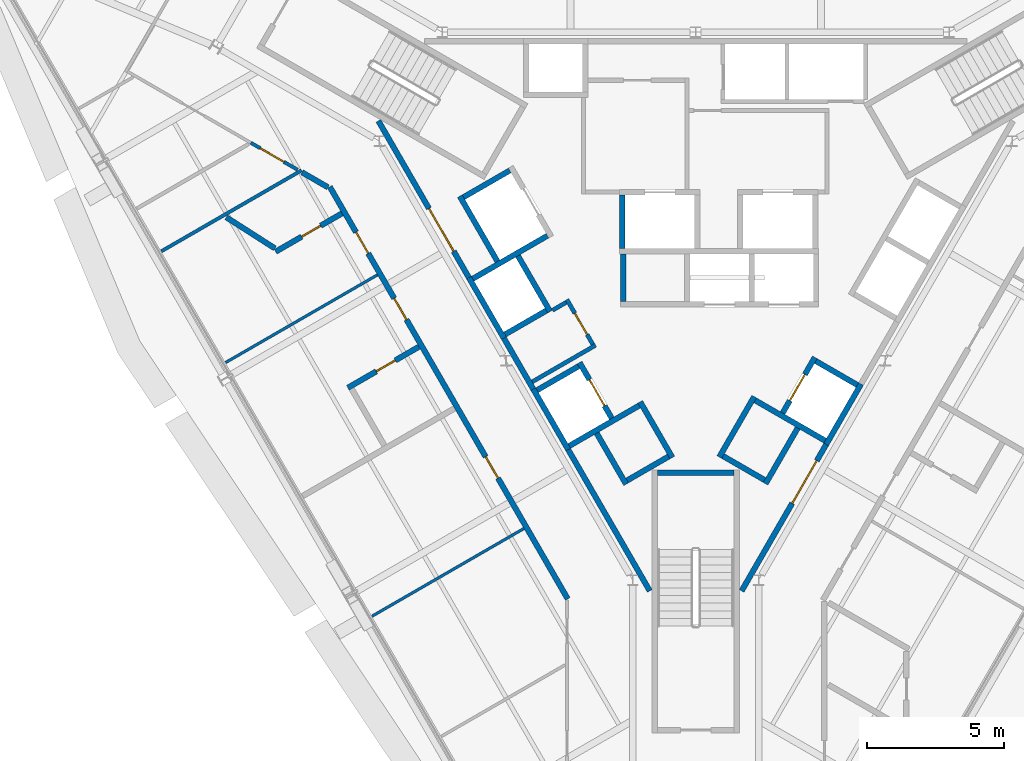
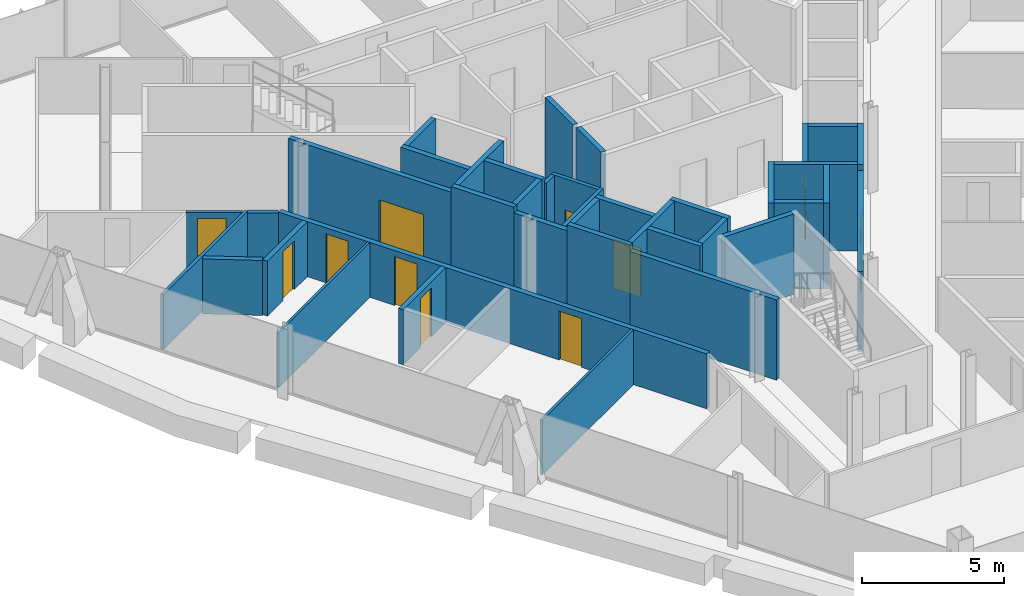
# One storey, part 10 of 15: 39 walls, 11 doors, 11 openings.
"""IFC4 building model written with IfcOpenShell, lengths in metres."""

from ifc_helpers import new_model, si_unit, direction, frame, frame_2d, origin, place, context, subcontext, project, spatial, rectangle, extrude, material, layer, layer_set, type_object, element, fill, save


model = new_model("IFC4")

# Units and contexts
model_context = context("Model", 3, precision=1e-05, world=origin(), true_north=direction((0.0, 1.0)))
body_context = subcontext(model_context, "Body", "Model", "MODEL_VIEW")
ifc_project = project(units=[si_unit("LENGTHUNIT", "METRE"), si_unit("AREAUNIT", "SQUARE_METRE"), si_unit("VOLUMEUNIT", "CUBIC_METRE"), si_unit("PLANEANGLEUNIT", "RADIAN"), si_unit("MASSUNIT", "GRAM", prefix="KILO")], contexts=[model_context])

# Site, building, storey
site_placement = place(None, origin())
site = spatial("IfcSite", under=ifc_project, at=site_placement, CompositionType="ELEMENT")
building_placement = place(site_placement, origin())
building = spatial("IfcBuilding", under=site, at=building_placement, Name="Verrane Prism Tower", CompositionType="ELEMENT")
storey_placement = place(building_placement, frame((0.0, 0.0, 254.5)))
storey = spatial("IfcBuildingStorey", under=building, at=storey_placement, Name="L64", CompositionType="ELEMENT", Elevation=254.5)

# Wall, opening, door
ifc_material_1 = material(Name="Gypsum board partition", Category="other")
ifc_layer_1 = layer(ifc_material_1, 0.199951171875)
ifc_layer_set_1 = layer_set([ifc_layer_1], Name="CW-200 core boundary wall 2 h")
wall_type_1 = type_object("IfcWallType", Name="CW-200 core boundary wall 2 h", PredefinedType="PARTITIONING", material=ifc_layer_set_1)
wall_1_placement = place(storey_placement, frame((-11.590576171875, 4.7548828125, 0.0), z_axis=(0.0, 0.0, 1.0), x_axis=(0.500043977787, -0.866000011708, 0.0)))
wall_1 = element("IfcWall", 1, at=wall_1_placement, inside=storey, type_object=wall_type_1, Name="Core boundary wall CW3-009", PredefinedType="PARTITIONING", context=body_context, shape_type="SweptSolid", body=[
    extrude(rectangle(XDim=6.61669921875, YDim=0.199951171875, at=frame_2d((3.308349609375, 0.0))), origin(), (0.0, 0.0, 1.0), 3.449951171875),
])
opening_1_placement = place(wall_1_placement, frame((3.695068359375, 0.0, 0.0)))
opening_1 = element("IfcOpeningElement", 2, at=opening_1_placement, cuts=wall_1, Name="Opening D62517", PredefinedType="OPENING", context=body_context, shape_type="SweptSolid", body=[
    extrude(rectangle(XDim=1.800048828125, YDim=2.10009765625, at=frame_2d((0.89990234375, 1.050048828125))), frame((0.0, 0.10986328125, 0.0), z_axis=(0.0, -1.0, 0.0), x_axis=(1.0, 0.0, 0.0)), (0.0, 0.0, 1.0), 0.219970703125),
])
ifc_material_2 = material(Name="Timber veneered door leaf", Category="wood")
door_type_1 = type_object("IfcDoorType", Name="DR-1800x2100 FD60 double leaf lift lobby", OperationType="NOTDEFINED", PredefinedType="DOOR", material=ifc_material_2)
door_1_placement = place(opening_1_placement, origin())
door_1 = element("IfcDoor", 3, at=door_1_placement, inside=storey, type_object=door_type_1, Name="Lift lobby door D62517", OperationType="DOUBLE_DOOR_SINGLE_SWING", OverallHeight=2.10009765625, OverallWidth=1.800048828125, PredefinedType="DOOR", context=body_context, shape_type="SweptSolid", body=[
    extrude(rectangle(XDim=1.800048828125, YDim=2.10009765625, at=frame_2d((0.89990234375, 1.050048828125))), frame((0.0, 0.02490234375, 0.0), z_axis=(0.0, -1.0, 0.0), x_axis=(1.0, 0.0, 0.0)), (0.0, 0.0, 1.0), 0.050048828125),
])
fill(opening_1, door_1)

# Walls
wall_2_placement = place(storey_placement, frame((-7.0048828125, -3.18701171875, 0.0), z_axis=(0.0, 0.0, 1.0), x_axis=(0.499689606989, -0.866204535123, 0.0)))
element("IfcWall", 4, at=wall_2_placement, inside=storey, type_object=wall_type_1, Name="Core boundary wall CW3-011", PredefinedType="PARTITIONING", context=body_context, shape_type="SweptSolid", body=[
    extrude(rectangle(XDim=2.144775390625, YDim=0.199951171875, at=frame_2d((1.072265625, 0.0))), origin(), (0.0, 0.0, 1.0), 3.449951171875),
])
wall_3_placement = place(storey_placement, frame((-4.655029296875, -7.257080078125, 0.0), z_axis=(0.0, 0.0, 1.0), x_axis=(0.499966124405, -0.866044960985, 0.0)))
element("IfcWall", 5, at=wall_3_placement, inside=storey, type_object=wall_type_1, Name="Core boundary wall CW3-012", PredefinedType="PARTITIONING", context=body_context, shape_type="SweptSolid", body=[
    extrude(rectangle(XDim=5.95556640625, YDim=0.199951171875, at=frame_2d((2.977783203125, 0.0))), origin(), (0.0, 0.0, 1.0), 3.449951171875),
])

# Wall, opening, door
wall_4_placement = place(storey_placement, frame((1.677490234375, -12.414794921875, 0.0), z_axis=(0.0, 0.0, 1.0), x_axis=(0.500054337157, 0.865994029939, 0.0)))
wall_4 = element("IfcWall", 6, at=wall_4_placement, inside=storey, type_object=wall_type_1, Name="Core boundary wall CW3-014", PredefinedType="PARTITIONING", context=body_context, shape_type="SweptSolid", body=[
    extrude(rectangle(XDim=6.176513671875, YDim=0.199951171875, at=frame_2d((3.08837890625, 0.0))), origin(), (0.0, 0.0, 1.0), 3.449951171875),
])
opening_2_placement = place(wall_4_placement, frame((3.695068359375, 0.0, 0.0)))
opening_2 = element("IfcOpeningElement", 7, at=opening_2_placement, cuts=wall_4, Name="Opening D62523", PredefinedType="OPENING", context=body_context, shape_type="SweptSolid", body=[
    extrude(rectangle(XDim=1.800048828125, YDim=2.10009765625, at=frame_2d((0.89990234375, 1.050048828125))), frame((0.0, 0.10986328125, 0.0), z_axis=(0.0, -1.0, 0.0), x_axis=(1.0, 0.0, 0.0)), (0.0, 0.0, 1.0), 0.219970703125),
])
door_2_placement = place(opening_2_placement, origin())
door_2 = element("IfcDoor", 8, at=door_2_placement, inside=storey, type_object=door_type_1, Name="Lift lobby door D62523", OperationType="DOUBLE_DOOR_SINGLE_SWING", OverallHeight=2.10009765625, OverallWidth=1.800048828125, PredefinedType="DOOR", context=body_context, shape_type="SweptSolid", body=[
    extrude(rectangle(XDim=1.800048828125, YDim=2.10009765625, at=frame_2d((0.89990234375, 1.050048828125))), frame((0.0, 0.02490234375, 0.0), z_axis=(0.0, -1.0, 0.0), x_axis=(1.0, 0.0, 0.0)), (0.0, 0.0, 1.0), 0.050048828125),
])
fill(opening_2, door_2)

# Walls
ifc_material_3 = material(Name="Concrete C40/50", Category="concrete")
ifc_layer_2 = layer(ifc_material_3, 0.199951171875)
ifc_layer_set_2 = layer_set([ifc_layer_2], Name="CW-200 stair core wall concrete C40/50 3 h")
wall_type_2 = type_object("IfcWallType", Name="CW-200 stair core wall concrete C40/50 3 h", PredefinedType="PARTITIONING", material=ifc_layer_set_2)
wall_5_placement = place(storey_placement, frame((-1.39990234375, -8.10009765625, 0.0), z_axis=(0.0, 0.0, 1.0), x_axis=(1.0, 0.0, 0.0)))
element("IfcWall", 9, at=wall_5_placement, inside=storey, type_object=wall_type_2, Name="Stair 3 enclosure wall", PredefinedType="PARTITIONING", context=body_context, shape_type="SweptSolid", body=[
    extrude(rectangle(XDim=2.7998046875, YDim=0.199951171875, at=frame_2d((1.39990234375, 0.0))), origin(), (0.0, 0.0, 1.0), 3.449951171875),
])
ifc_material_4 = material(Name="Gypsum board shaft wall assembly", Category="other")
ifc_layer_3 = layer(ifc_material_4, 0.199951171875)
ifc_layer_set_3 = layer_set([ifc_layer_3], Name="HW-200 lift shaft wall 2 h")
wall_type_3 = type_object("IfcWallType", Name="HW-200 lift shaft wall 2 h", PredefinedType="PARTITIONING", material=ifc_layer_set_3)
wall_6_placement = place(storey_placement, frame((-2.50537109375, -8.38037109375, 0.0), z_axis=(0.0, 0.0, 1.0), x_axis=(0.866002029911, 0.500040482552, 0.0)))
element("IfcWall", 10, at=wall_6_placement, inside=storey, type_object=wall_type_3, Name="Lift shaft wall", PredefinedType="PARTITIONING", context=body_context, shape_type="SweptSolid", body=[
    extrude(rectangle(XDim=1.749755859375, YDim=0.199951171875, at=frame_2d((0.875, 0.0))), origin(), (0.0, 0.0, 1.0), 3.699951171875),
])
wall_7_placement = place(storey_placement, frame((-4.61962890625, -7.118408203125, 0.0), z_axis=(0.0, 0.0, 1.0), x_axis=(0.866039495442, 0.49997559174, 0.0)))
element("IfcWall", 11, at=wall_7_placement, inside=storey, type_object=wall_type_3, Name="Lift shaft wall", PredefinedType="PARTITIONING", context=body_context, shape_type="SweptSolid", body=[
    extrude(rectangle(XDim=2.949951171875, YDim=0.199951171875, at=frame_2d((1.47509765625, 0.0))), origin(), (0.0, 0.0, 1.0), 3.699951171875),
])
for number, where, z_axis, x_axis, name in (
    (12, (-5.794677734375, -5.083251953125, 0.0), (0.0, 0.0, 1.0), (0.866036909293, 0.499980071345, 0.0), "Lift shaft wall"),
    (13, (-6.9697265625, -3.048095703125, 0.0), (0.0, 0.0, 1.0), (0.866036909293, 0.499980071345, 0.0), "Lift shaft wall"),
):
    element("IfcWall", number, at=place(storey_placement, frame(where, z_axis=z_axis, x_axis=x_axis)), inside=storey, type_object=wall_type_3, Name=name, PredefinedType="PARTITIONING", context=body_context, shape_type="SweptSolid", body=[
        extrude(rectangle(XDim=1.75, YDim=0.199951171875, at=frame_2d((0.875, 0.0))), origin(), (0.0, 0.0, 1.0), 3.699951171875),
    ])
wall_8_placement = place(storey_placement, frame((-8.14453125, -1.012939453125, 0.0), z_axis=(0.0, 0.0, 1.0), x_axis=(0.866016494683, 0.500015430699, 0.0)))
element("IfcWall", 14, at=wall_8_placement, inside=storey, type_object=wall_type_3, Name="Lift shaft wall", PredefinedType="PARTITIONING", context=body_context, shape_type="SweptSolid", body=[
    extrude(rectangle(XDim=3.14990234375, YDim=0.199951171875, at=frame_2d((1.574951171875, 0.0))), origin(), (0.0, 0.0, 1.0), 3.699951171875),
])
wall_9_placement = place(storey_placement, frame((-8.48046875, 1.968505859375, 0.0), z_axis=(0.0, 0.0, 1.0), x_axis=(0.866000020948, 0.500043961785, 0.0)))
element("IfcWall", 15, at=wall_9_placement, inside=storey, type_object=wall_type_3, Name="Lift shaft wall", PredefinedType="PARTITIONING", context=body_context, shape_type="SweptSolid", body=[
    extrude(rectangle(XDim=1.949951171875, YDim=0.199951171875, at=frame_2d((0.97509765625, 0.0))), origin(), (0.0, 0.0, 1.0), 3.699951171875),
])
wall_10_placement = place(storey_placement, frame((4.766357421875, -7.064697265625, 0.0), z_axis=(0.0, 0.0, 1.0), x_axis=(0.499948979701, 0.866054858364, 0.0)))
element("IfcWall", 16, at=wall_10_placement, inside=storey, type_object=wall_type_3, Name="Lift shaft wall", PredefinedType="PARTITIONING", context=body_context, shape_type="SweptSolid", body=[
    extrude(rectangle(XDim=2.550048828125, YDim=0.199951171875, at=frame_2d((1.27490234375, 0.0))), origin(), (0.0, 0.0, 1.0), 3.699951171875),
])
wall_11_placement = place(storey_placement, frame((2.552001953125, -8.499755859375, 0.0), z_axis=(0.0, 0.0, 1.0), x_axis=(0.500016218704, 0.866016039709, 0.0)))
element("IfcWall", 17, at=wall_11_placement, inside=storey, type_object=wall_type_3, Name="Lift shaft wall", PredefinedType="PARTITIONING", context=body_context, shape_type="SweptSolid", body=[
    extrude(rectangle(XDim=2.35009765625, YDim=0.199951171875, at=frame_2d((1.175048828125, 0.0))), origin(), (0.0, 0.0, 1.0), 3.699951171875),
])

# Wall, opening, door
wall_12_placement = place(storey_placement, frame((3.177490234375, -5.91650390625, 0.0), z_axis=(0.0, 0.0, 1.0), x_axis=(0.500016218704, 0.866016039709, 0.0)))
wall_12 = element("IfcWall", 18, at=wall_12_placement, inside=storey, type_object=wall_type_3, Name="Lift shaft wall", PredefinedType="PARTITIONING", context=body_context, shape_type="SweptSolid", body=[
    extrude(rectangle(XDim=2.35009765625, YDim=0.199951171875, at=frame_2d((1.175048828125, 0.0))), origin(), (0.0, 0.0, 1.0), 3.699951171875),
])
opening_3_placement = place(wall_12_placement, frame((0.52490234375, 0.0, 0.0)))
opening_3 = element("IfcOpeningElement", 19, at=opening_3_placement, cuts=wall_12, Name="Opening D62505", PredefinedType="OPENING", context=body_context, shape_type="SweptSolid", body=[
    extrude(rectangle(XDim=1.10009765625, YDim=2.10009765625, at=frame_2d((0.550048828125, 1.050048828125))), frame((0.0, 0.10986328125, 0.0), z_axis=(0.0, -1.0, 0.0), x_axis=(1.0, 0.0, 0.0)), (0.0, 0.0, 1.0), 0.219970703125),
])
ifc_material_5 = material(Name="Stainless steel sliding landing door", Category="steel")
door_type_2 = type_object("IfcDoorType", Name="LD-1100x2100 lift landing door FD90 sliding", OperationType="NOTDEFINED", PredefinedType="DOOR", material=ifc_material_5)
door_3_placement = place(opening_3_placement, origin())
door_3 = element("IfcDoor", 20, at=door_3_placement, inside=storey, type_object=door_type_2, Name="Bank B lift 3 landing door", OperationType="SLIDING_TO_LEFT", OverallHeight=2.10009765625, OverallWidth=1.10009765625, PredefinedType="DOOR", context=body_context, shape_type="SweptSolid", body=[
    extrude(rectangle(XDim=1.10009765625, YDim=2.10009765625, at=frame_2d((0.550048828125, 1.050048828125))), frame((0.0, 0.02490234375, 0.0), z_axis=(0.0, -1.0, 0.0), x_axis=(1.0, 0.0, 0.0)), (0.0, 0.0, 1.0), 0.050048828125),
])
fill(opening_3, door_3)

# Walls
wall_13_placement = place(storey_placement, frame((0.86328125, -7.524658203125, 0.0), z_axis=(0.0, 0.0, 1.0), x_axis=(0.499990435942, 0.866030925526, 0.0)))
element("IfcWall", 21, at=wall_13_placement, inside=storey, type_object=wall_type_3, Name="Lift shaft wall", PredefinedType="PARTITIONING", context=body_context, shape_type="SweptSolid", body=[
    extrude(rectangle(XDim=2.5498046875, YDim=0.199951171875, at=frame_2d((1.27490234375, 0.0))), origin(), (0.0, 0.0, 1.0), 3.699951171875),
])
wall_14_placement = place(storey_placement, frame((-2.655029296875, -1.85009765625, 0.0), z_axis=(0.0, 0.0, 1.0), x_axis=(0.0, 1.0, 0.0)))
element("IfcWall", 22, at=wall_14_placement, inside=storey, type_object=wall_type_3, Name="Lift shaft wall", PredefinedType="PARTITIONING", context=body_context, shape_type="SweptSolid", body=[
    extrude(rectangle(XDim=1.75, YDim=0.199951171875, at=frame_2d((0.875, 0.0))), origin(), (0.0, 0.0, 1.0), 3.699951171875),
])
wall_15_placement = place(storey_placement, frame((-2.68505859375, 0.10009765625, 0.0), z_axis=(0.0, 0.0, 1.0), x_axis=(0.0, 1.0, 0.0)))
element("IfcWall", 23, at=wall_15_placement, inside=storey, type_object=wall_type_3, Name="Lift shaft wall", PredefinedType="PARTITIONING", context=body_context, shape_type="SweptSolid", body=[
    extrude(rectangle(XDim=1.949951171875, YDim=0.199951171875, at=frame_2d((0.97509765625, 0.0))), origin(), (0.0, 0.0, 1.0), 3.699951171875),
])
wall_16_placement = place(storey_placement, frame((-0.853271484375, -7.5419921875, 0.0), z_axis=(0.0, 0.0, 1.0), x_axis=(-0.500016218704, 0.866016039709, 0.0)))
element("IfcWall", 24, at=wall_16_placement, inside=storey, type_object=wall_type_3, Name="Lift shaft wall", PredefinedType="PARTITIONING", context=body_context, shape_type="SweptSolid", body=[
    extrude(rectangle(XDim=2.35009765625, YDim=0.199951171875, at=frame_2d((1.175048828125, 0.0))), origin(), (0.0, 0.0, 1.0), 3.699951171875),
])

# Wall, opening, door
wall_17_placement = place(storey_placement, frame((-3.067626953125, -6.10693359375, 0.0), z_axis=(0.0, 0.0, 1.0), x_axis=(-0.499938297808, 0.866061024631, 0.0)))
wall_17 = element("IfcWall", 25, at=wall_17_placement, inside=storey, type_object=wall_type_3, Name="Lift shaft wall", PredefinedType="PARTITIONING", context=body_context, shape_type="SweptSolid", body=[
    extrude(rectangle(XDim=2.349853515625, YDim=0.199951171875, at=frame_2d((1.1748046875, 0.0))), origin(), (0.0, 0.0, 1.0), 3.699951171875),
])
opening_4_placement = place(wall_17_placement, frame((0.52490234375, 0.0, 0.0)))
opening_4 = element("IfcOpeningElement", 26, at=opening_4_placement, cuts=wall_17, Name="Opening D62506", PredefinedType="OPENING", context=body_context, shape_type="SweptSolid", body=[
    extrude(rectangle(XDim=1.10009765625, YDim=2.10009765625, at=frame_2d((0.550048828125, 1.050048828125))), frame((0.0, 0.10986328125, 0.0), z_axis=(0.0, -1.0, 0.0), x_axis=(1.0, 0.0, 0.0)), (0.0, 0.0, 1.0), 0.219970703125),
])
door_4_placement = place(opening_4_placement, origin())
door_4 = element("IfcDoor", 27, at=door_4_placement, inside=storey, type_object=door_type_2, Name="Bank B lift 4 landing door", OperationType="SLIDING_TO_RIGHT", OverallHeight=2.10009765625, OverallWidth=1.10009765625, PredefinedType="DOOR", context=body_context, shape_type="SweptSolid", body=[
    extrude(rectangle(XDim=1.10009765625, YDim=2.10009765625, at=frame_2d((0.550048828125, 1.050048828125))), frame((0.0, 0.02490234375, 0.0), z_axis=(0.0, -1.0, 0.0), x_axis=(1.0, 0.0, 0.0)), (0.0, 0.0, 1.0), 0.050048828125),
])
fill(opening_4, door_4)

# Walls
wall_18_placement = place(storey_placement, frame((-5.317626953125, -2.209716796875, 0.0), z_axis=(0.0, 0.0, 1.0), x_axis=(-0.499938297808, 0.866061024631, 0.0)))
element("IfcWall", 28, at=wall_18_placement, inside=storey, type_object=wall_type_3, Name="Lift shaft wall", PredefinedType="PARTITIONING", context=body_context, shape_type="SweptSolid", body=[
    extrude(rectangle(XDim=2.349853515625, YDim=0.199951171875, at=frame_2d((1.1748046875, 0.0))), origin(), (0.0, 0.0, 1.0), 3.699951171875),
])
wall_19_placement = place(storey_placement, frame((-2.5419921875, -8.51708984375, 0.0), z_axis=(0.0, 0.0, 1.0), x_axis=(-0.499961633463, 0.866047553582, 0.0)))
element("IfcWall", 29, at=wall_19_placement, inside=storey, type_object=wall_type_3, Name="Lift shaft wall", PredefinedType="PARTITIONING", context=body_context, shape_type="SweptSolid", body=[
    extrude(rectangle(XDim=2.150146484375, YDim=0.199951171875, at=frame_2d((1.0751953125, 0.0))), origin(), (0.0, 0.0, 1.0), 3.699951171875),
])
wall_20_placement = place(storey_placement, frame((-7.241943359375, -0.37646484375, 0.0), z_axis=(0.0, 0.0, 1.0), x_axis=(-0.499996545922, 0.866027397988, 0.0)))
element("IfcWall", 30, at=wall_20_placement, inside=storey, type_object=wall_type_3, Name="Lift shaft wall", PredefinedType="PARTITIONING", context=body_context, shape_type="SweptSolid", body=[
    extrude(rectangle(XDim=2.75, YDim=0.199951171875, at=frame_2d((1.375, 0.0))), origin(), (0.0, 0.0, 1.0), 3.699951171875),
])
for number, where, z_axis, x_axis, name in (
    (31, (-4.65625, -7.255126953125, 0.0), (0.0, 0.0, 1.0), (-0.499990435942, 0.866030925526, 0.0), "Lift shaft wall"),
    (32, (-7.00634765625, -3.184814453125, 0.0), (0.0, 0.0, 1.0), (-0.499990435942, 0.866030925526, 0.0), "Lift shaft wall"),
):
    element("IfcWall", number, at=place(storey_placement, frame(where, z_axis=z_axis, x_axis=x_axis)), inside=storey, type_object=wall_type_3, Name=name, PredefinedType="PARTITIONING", context=body_context, shape_type="SweptSolid", body=[
        extrude(rectangle(XDim=2.5498046875, YDim=0.199951171875, at=frame_2d((1.27490234375, 0.0))), origin(), (0.0, 0.0, 1.0), 3.699951171875),
    ])
wall_21_placement = place(storey_placement, frame((5.904541015625, -4.892822265625, 0.0), z_axis=(0.0, 0.0, 1.0), x_axis=(-0.866002029911, 0.500040482552, 0.0)))
element("IfcWall", 33, at=wall_21_placement, inside=storey, type_object=wall_type_3, Name="Lift shaft wall", PredefinedType="PARTITIONING", context=body_context, shape_type="SweptSolid", body=[
    extrude(rectangle(XDim=1.749755859375, YDim=0.199951171875, at=frame_2d((0.875, 0.0))), origin(), (0.0, 0.0, 1.0), 3.699951171875),
])
wall_22_placement = place(storey_placement, frame((4.729736328125, -6.927978515625, 0.0), z_axis=(0.0, 0.0, 1.0), x_axis=(-0.866024349092, 0.500001826776, 0.0)))
element("IfcWall", 34, at=wall_22_placement, inside=storey, type_object=wall_type_3, Name="Lift shaft wall", PredefinedType="PARTITIONING", context=body_context, shape_type="SweptSolid", body=[
    extrude(rectangle(XDim=2.9501953125, YDim=0.199951171875, at=frame_2d((1.47509765625, 0.0))), origin(), (0.0, 0.0, 1.0), 3.699951171875),
])
wall_23_placement = place(storey_placement, frame((2.515380859375, -8.36328125, 0.0), z_axis=(0.0, 0.0, 1.0), x_axis=(-0.866036909293, 0.499980071345, 0.0)))
element("IfcWall", 35, at=wall_23_placement, inside=storey, type_object=wall_type_3, Name="Lift shaft wall", PredefinedType="PARTITIONING", context=body_context, shape_type="SweptSolid", body=[
    extrude(rectangle(XDim=1.75, YDim=0.199951171875, at=frame_2d((0.875, 0.0))), origin(), (0.0, 0.0, 1.0), 3.699951171875),
])
ifc_material_6 = material(Name="Gypsum board partition", Category="other")
ifc_layer_4 = layer(ifc_material_6, 0.10009765625)
ifc_layer_set_4 = layer_set([ifc_layer_4], Name="PW-100 room partition")
wall_type_4 = type_object("IfcWallType", Name="PW-100 room partition", PredefinedType="PARTITIONING", material=ifc_layer_set_4)
wall_24_placement = place(storey_placement, frame((-17.1708984375, -4.071044921875, 0.0), z_axis=(0.0, 0.0, 1.0), x_axis=(0.865973383125, 0.500090091603, 0.0)))
element("IfcWall", 36, at=wall_24_placement, inside=storey, type_object=wall_type_4, Name="Room partition 007", PredefinedType="PARTITIONING", context=body_context, shape_type="SweptSolid", body=[
    extrude(rectangle(XDim=6.399658203125, YDim=0.10009765625, at=frame_2d((3.19970703125, 0.0))), origin(), (0.0, 0.0, 1.0), 2.362060546875),
])
wall_25_placement = place(storey_placement, frame((-11.82080078125, -13.337158203125, 0.0), z_axis=(0.0, 0.0, 1.0), x_axis=(0.866013405822, 0.500020780506, 0.0)))
element("IfcWall", 37, at=wall_25_placement, inside=storey, type_object=wall_type_4, Name="Room partition 016", PredefinedType="PARTITIONING", context=body_context, shape_type="SweptSolid", body=[
    extrude(rectangle(XDim=6.399169921875, YDim=0.10009765625, at=frame_2d((3.19970703125, 0.0))), origin(), (0.0, 0.0, 1.0), 2.362060546875),
])
ifc_material_7 = material(Name="Gypsum board partition", Category="other")
ifc_layer_5 = layer(ifc_material_7, 0.125)
ifc_layer_set_5 = layer_set([ifc_layer_5], Name="PW-125 corridor wall 1 h")
wall_type_5 = type_object("IfcWallType", Name="PW-125 corridor wall 1 h", PredefinedType="PARTITIONING", material=ifc_layer_set_5)
wall_26_placement = place(storey_placement, frame((-19.517822265625, -0.006103515625, 0.0), z_axis=(0.0, 0.0, 1.0), x_axis=(0.866072118736, 0.499919078599, 0.0)))
element("IfcWall", 38, at=wall_26_placement, inside=storey, type_object=wall_type_5, Name="Corridor wall 005", PredefinedType="PARTITIONING", context=body_context, shape_type="SweptSolid", body=[
    extrude(rectangle(XDim=5.91162109375, YDim=0.125, at=frame_2d((2.955810546875, 0.0))), origin(), (0.0, 0.0, 1.0), 2.362060546875),
])

# Wall, opening, door
wall_27_placement = place(storey_placement, frame((-16.2529296875, 3.95703125, 0.0), z_axis=(0.0, 0.0, 1.0), x_axis=(0.866173232673, -0.499743865396, 0.0)))
wall_27 = element("IfcWall", 39, at=wall_27_placement, inside=storey, type_object=wall_type_5, Name="Corridor wall 008", PredefinedType="PARTITIONING", context=body_context, shape_type="SweptSolid", body=[
    extrude(rectangle(XDim=1.97412109375, YDim=0.125, at=frame_2d((0.987060546875, 0.0))), origin(), (0.0, 0.0, 1.0), 2.362060546875),
])
opening_5_placement = place(wall_27_placement, frame((0.39990234375, 0.0, 0.0)))
opening_5 = element("IfcOpeningElement", 40, at=opening_5_placement, cuts=wall_27, Name="Opening D62027", PredefinedType="OPENING", context=body_context, shape_type="SweptSolid", body=[
    extrude(rectangle(XDim=1.0, YDim=2.10009765625, at=frame_2d((0.5, 1.050048828125))), frame((0.0, 0.072509765625, 0.0), z_axis=(0.0, -1.0, 0.0), x_axis=(1.0, 0.0, 0.0)), (0.0, 0.0, 1.0), 0.14501953125),
])
ifc_material_8 = material(Name="Timber veneered door leaf", Category="wood")
door_type_3 = type_object("IfcDoorType", Name="DR-1000x2100 FD20 single leaf unit", OperationType="NOTDEFINED", PredefinedType="DOOR", material=ifc_material_8)
door_5_placement = place(opening_5_placement, origin())
door_5 = element("IfcDoor", 41, at=door_5_placement, inside=storey, type_object=door_type_3, Name="Entrance Hall door", OperationType="SINGLE_SWING_LEFT", OverallHeight=2.10009765625, OverallWidth=1.0, PredefinedType="DOOR", context=body_context, shape_type="SweptSolid", body=[
    extrude(rectangle(XDim=1.0, YDim=2.10009765625, at=frame_2d((0.5, 1.050048828125))), frame((0.0, 0.02490234375, 0.0), z_axis=(0.0, -1.0, 0.0), x_axis=(1.0, 0.0, 0.0)), (0.0, 0.0, 1.0), 0.050048828125),
])
fill(opening_5, door_5)

# Wall
ifc_material_9 = material(Name="Gypsum board partition", Category="other")
ifc_layer_6 = layer(ifc_material_9, 0.199951171875)
ifc_layer_set_6 = layer_set([ifc_layer_6], Name="PW-200 plumbing wall")
wall_type_6 = type_object("IfcWallType", Name="PW-200 plumbing wall", PredefinedType="PARTITIONING", material=ifc_layer_set_6)
wall_28_placement = place(storey_placement, frame((-17.14892578125, 1.236083984375, 0.0), z_axis=(0.0, 0.0, 1.0), x_axis=(0.842376529327, -0.538889397593, 0.0)))
element("IfcWall", 42, at=wall_28_placement, inside=storey, type_object=wall_type_6, Name="Plumbing wall 006", PredefinedType="PARTITIONING", context=body_context, shape_type="SweptSolid", body=[
    extrude(rectangle(XDim=2.1083984375, YDim=0.199951171875, at=frame_2d((1.05419921875, 0.0))), origin(), (0.0, 0.0, 1.0), 2.362060546875),
])

# Wall, opening, door
wall_29_placement = place(storey_placement, frame((-15.345703125, -0.02294921875, 0.0), z_axis=(0.0, 0.0, 1.0), x_axis=(0.865969158485, 0.500097407065, 0.0)))
wall_29 = element("IfcWall", 43, at=wall_29_placement, inside=storey, type_object=wall_type_6, Name="Plumbing wall 010", PredefinedType="PARTITIONING", context=body_context, shape_type="SweptSolid", body=[
    extrude(rectangle(XDim=2.79931640625, YDim=0.199951171875, at=frame_2d((1.399658203125, 0.0))), origin(), (0.0, 0.0, 1.0), 2.362060546875),
])
opening_6_placement = place(wall_29_placement, frame((1.10009765625, 0.0, 0.0)))
opening_6 = element("IfcOpeningElement", 44, at=opening_6_placement, cuts=wall_29, Name="Opening D62020", PredefinedType="OPENING", context=body_context, shape_type="SweptSolid", body=[
    extrude(rectangle(XDim=0.800048828125, YDim=2.10009765625, at=frame_2d((0.39990234375, 1.050048828125))), frame((0.0, 0.10986328125, 0.0), z_axis=(0.0, -1.0, 0.0), x_axis=(1.0, 0.0, 0.0)), (0.0, 0.0, 1.0), 0.219970703125),
])
ifc_material_10 = material(Name="Timber veneered door leaf", Category="wood")
door_type_4 = type_object("IfcDoorType", Name="DR-800x2100 single leaf bath", OperationType="NOTDEFINED", PredefinedType="DOOR", material=ifc_material_10)
door_6_placement = place(opening_6_placement, origin())
door_6 = element("IfcDoor", 45, at=door_6_placement, inside=storey, type_object=door_type_4, Name="Bathroom door", OperationType="SINGLE_SWING_RIGHT", OverallHeight=2.10009765625, OverallWidth=0.800048828125, PredefinedType="DOOR", context=body_context, shape_type="SweptSolid", body=[
    extrude(rectangle(XDim=0.800048828125, YDim=2.10009765625, at=frame_2d((0.39990234375, 1.050048828125))), frame((0.0, 0.02490234375, 0.0), z_axis=(0.0, -1.0, 0.0), x_axis=(1.0, 0.0, 0.0)), (0.0, 0.0, 1.0), 0.050048828125),
])
fill(opening_6, door_6)

# Wall
wall_30_placement = place(storey_placement, frame((-14.380615234375, 2.876708984375, 0.0), z_axis=(0.0, 0.0, 1.0), x_axis=(0.866215333661, -0.499670887416, 0.0)))
element("IfcWall", 46, at=wall_30_placement, inside=storey, type_object=wall_type_6, Name="Plumbing wall 011", PredefinedType="PARTITIONING", context=body_context, shape_type="SweptSolid", body=[
    extrude(rectangle(XDim=1.093017578125, YDim=0.199951171875, at=frame_2d((0.54638671875, 0.0))), origin(), (0.0, 0.0, 1.0), 2.362060546875),
])

# Wall, openings, doors
wall_31_placement = place(storey_placement, frame((-4.675048828125, -12.706298828125, 0.0), z_axis=(0.0, 0.0, 1.0), x_axis=(-0.499972470324, 0.866041297467, 0.0)))
wall_31 = element("IfcWall", 47, at=wall_31_placement, inside=storey, type_object=wall_type_6, Name="Plumbing wall 013", PredefinedType="PARTITIONING", context=body_context, shape_type="SweptSolid", body=[
    extrude(rectangle(XDim=17.384765625, YDim=0.199951171875, at=frame_2d((8.6923828125, 0.0))), origin(), (0.0, 0.0, 1.0), 2.362060546875),
])
opening_7_placement = place(wall_31_placement, frame((14.56982421875, 0.0, 0.0)))
opening_7 = element("IfcOpeningElement", 48, at=opening_7_placement, cuts=wall_31, Name="Opening D62019", PredefinedType="OPENING", context=body_context, shape_type="SweptSolid", body=[
    extrude(rectangle(XDim=0.89990234375, YDim=2.10009765625, at=frame_2d((0.449951171875, 1.050048828125))), frame((0.0, 0.10986328125, 0.0), z_axis=(0.0, -1.0, 0.0), x_axis=(1.0, 0.0, 0.0)), (0.0, 0.0, 1.0), 0.219970703125),
])
opening_8_placement = place(wall_31_placement, frame((11.77685546875, 0.0, 0.0)))
opening_8 = element("IfcOpeningElement", 49, at=opening_8_placement, cuts=wall_31, Name="Opening D62021", PredefinedType="OPENING", context=body_context, shape_type="SweptSolid", body=[
    extrude(rectangle(XDim=0.89990234375, YDim=2.10009765625, at=frame_2d((0.449951171875, 1.050048828125))), frame((0.0, 0.10986328125, 0.0), z_axis=(0.0, -1.0, 0.0), x_axis=(1.0, 0.0, 0.0)), (0.0, 0.0, 1.0), 0.219970703125),
])
opening_9_placement = place(wall_31_placement, frame((5.0947265625, 0.0, 0.0)))
opening_9 = element("IfcOpeningElement", 50, at=opening_9_placement, cuts=wall_31, Name="Opening D62023", PredefinedType="OPENING", context=body_context, shape_type="SweptSolid", body=[
    extrude(rectangle(XDim=0.89990234375, YDim=2.10009765625, at=frame_2d((0.449951171875, 1.050048828125))), frame((0.0, 0.10986328125, 0.0), z_axis=(0.0, -1.0, 0.0), x_axis=(1.0, 0.0, 0.0)), (0.0, 0.0, 1.0), 0.219970703125),
])
ifc_material_11 = material(Name="Timber veneered door leaf", Category="wood")
door_type_5 = type_object("IfcDoorType", Name="DR-900x2100 single leaf inner", OperationType="NOTDEFINED", PredefinedType="DOOR", material=ifc_material_11)
door_7_placement = place(opening_7_placement, origin())
door_7 = element("IfcDoor", 51, at=door_7_placement, inside=storey, type_object=door_type_5, Name="Bedroom door", OperationType="SINGLE_SWING_RIGHT", OverallHeight=2.10009765625, OverallWidth=0.89990234375, PredefinedType="DOOR", context=body_context, shape_type="SweptSolid", body=[
    extrude(rectangle(XDim=0.89990234375, YDim=2.10009765625, at=frame_2d((0.449951171875, 1.050048828125))), frame((0.0, 0.02490234375, 0.0), z_axis=(0.0, -1.0, 0.0), x_axis=(1.0, 0.0, 0.0)), (0.0, 0.0, 1.0), 0.050048828125),
])
fill(opening_7, door_7)
door_8_placement = place(opening_8_placement, origin())
door_8 = element("IfcDoor", 52, at=door_8_placement, inside=storey, type_object=door_type_5, Name="Master Bedroom door", OperationType="SINGLE_SWING_RIGHT", OverallHeight=2.10009765625, OverallWidth=0.89990234375, PredefinedType="DOOR", context=body_context, shape_type="SweptSolid", body=[
    extrude(rectangle(XDim=0.89990234375, YDim=2.10009765625, at=frame_2d((0.449951171875, 1.050048828125))), frame((0.0, 0.02490234375, 0.0), z_axis=(0.0, -1.0, 0.0), x_axis=(1.0, 0.0, 0.0)), (0.0, 0.0, 1.0), 0.050048828125),
])
fill(opening_8, door_8)
ifc_material_12 = material(Name="Timber veneered door leaf", Category="wood")
door_type_6 = type_object("IfcDoorType", Name="DR-900x2100 single leaf unit", OperationType="NOTDEFINED", PredefinedType="DOOR", material=ifc_material_12)
door_9_placement = place(opening_9_placement, origin())
door_9 = element("IfcDoor", 53, at=door_9_placement, inside=storey, type_object=door_type_6, Name="Study door", OperationType="SINGLE_SWING_RIGHT", OverallHeight=2.10009765625, OverallWidth=0.89990234375, PredefinedType="DOOR", context=body_context, shape_type="SweptSolid", body=[
    extrude(rectangle(XDim=0.89990234375, YDim=2.10009765625, at=frame_2d((0.449951171875, 1.050048828125))), frame((0.0, 0.02490234375, 0.0), z_axis=(0.0, -1.0, 0.0), x_axis=(1.0, 0.0, 0.0)), (0.0, 0.0, 1.0), 0.050048828125),
])
fill(opening_9, door_9)

# Wall, opening, door
wall_32_placement = place(storey_placement, frame((-10.113037109375, -3.49658203125, 0.0), z_axis=(0.0, 0.0, 1.0), x_axis=(-0.866032178313, -0.499988265988, 0.0)))
wall_32 = element("IfcWall", 54, at=wall_32_placement, inside=storey, type_object=wall_type_6, Name="Plumbing wall 015", PredefinedType="PARTITIONING", context=body_context, shape_type="SweptSolid", body=[
    extrude(rectangle(XDim=2.99462890625, YDim=0.199951171875, at=frame_2d((1.497314453125, 0.0))), origin(), (0.0, 0.0, 1.0), 2.362060546875),
])
opening_10_placement = place(wall_32_placement, frame((0.994873046875, 0.0, 0.0)))
opening_10 = element("IfcOpeningElement", 55, at=opening_10_placement, cuts=wall_32, Name="Opening D62022", PredefinedType="OPENING", context=body_context, shape_type="SweptSolid", body=[
    extrude(rectangle(XDim=0.800048828125, YDim=2.10009765625, at=frame_2d((0.39990234375, 1.050048828125))), frame((0.0, 0.10986328125, 0.0), z_axis=(0.0, -1.0, 0.0), x_axis=(1.0, 0.0, 0.0)), (0.0, 0.0, 1.0), 0.219970703125),
])
door_10_placement = place(opening_10_placement, origin())
door_10 = element("IfcDoor", 56, at=door_10_placement, inside=storey, type_object=door_type_4, Name="Master Bathroom door", OperationType="SINGLE_SWING_LEFT", OverallHeight=2.10009765625, OverallWidth=0.800048828125, PredefinedType="DOOR", context=body_context, shape_type="SweptSolid", body=[
    extrude(rectangle(XDim=0.800048828125, YDim=2.10009765625, at=frame_2d((0.39990234375, 1.050048828125))), frame((0.0, 0.02490234375, 0.0), z_axis=(0.0, -1.0, 0.0), x_axis=(1.0, 0.0, 0.0)), (0.0, 0.0, 1.0), 0.050048828125),
])
fill(opening_10, door_10)

# Walls
ifc_material_13 = material(Name="Gypsum board partition", Category="other")
ifc_layer_7 = layer(ifc_material_13, 0.14990234375)
ifc_layer_set_7 = layer_set([ifc_layer_7], Name="RS-150 riser enclosure wall 1 h")
wall_type_7 = type_object("IfcWallType", Name="RS-150 riser enclosure wall 1 h", PredefinedType="PARTITIONING", material=ifc_layer_set_7)
wall_33_placement = place(storey_placement, frame((-5.972412109375, -4.776123046875, 0.0), z_axis=(0.0, 0.0, 1.0), x_axis=(0.8660731567, 0.4999172804, 0.0)))
element("IfcWall", 57, at=wall_33_placement, inside=storey, type_object=wall_type_7, Name="Riser wall RS3-007", PredefinedType="PARTITIONING", context=body_context, shape_type="SweptSolid", body=[
    extrude(rectangle(XDim=2.67578125, YDim=0.14990234375, at=frame_2d((1.337890625, 0.0))), origin(), (0.0, 0.0, 1.0), 3.449951171875),
])
wall_34_placement = place(storey_placement, frame((-5.22900390625, -2.160888671875, 0.0), z_axis=(0.0, 0.0, 1.0), x_axis=(0.866906303058, 0.498471124258, 0.0)))
element("IfcWall", 58, at=wall_34_placement, inside=storey, type_object=wall_type_7, Name="Riser wall RS3-008", PredefinedType="PARTITIONING", context=body_context, shape_type="SweptSolid", body=[
    extrude(rectangle(XDim=0.574462890625, YDim=0.14990234375, at=frame_2d((0.287109375, 0.0))), origin(), (0.0, 0.0, 1.0), 3.449951171875),
])

# Wall, opening, door
wall_35_placement = place(storey_placement, frame((-3.757568359375, -3.4111328125, 0.0), z_axis=(0.0, 0.0, 1.0), x_axis=(-0.499871346238, 0.866099669328, 0.0)))
wall_35 = element("IfcWall", 59, at=wall_35_placement, inside=storey, type_object=wall_type_7, Name="Riser wall RS3-009", PredefinedType="PARTITIONING", context=body_context, shape_type="SweptSolid", body=[
    extrude(rectangle(XDim=1.892578125, YDim=0.14990234375, at=frame_2d((0.9462890625, 0.0))), origin(), (0.0, 0.0, 1.0), 3.449951171875),
])
opening_11_placement = place(wall_35_placement, frame((0.41748046875, 0.0, 0.0)))
opening_11 = element("IfcOpeningElement", 60, at=opening_11_placement, cuts=wall_35, Name="Opening D62518", PredefinedType="OPENING", context=body_context, shape_type="SweptSolid", body=[
    extrude(rectangle(XDim=0.89990234375, YDim=2.10009765625, at=frame_2d((0.449951171875, 1.050048828125))), frame((0.0, 0.0849609375, 0.0), z_axis=(0.0, -1.0, 0.0), x_axis=(1.0, 0.0, 0.0)), (0.0, 0.0, 1.0), 0.169921875),
])
ifc_material_14 = material(Name="Timber veneered door leaf", Category="wood")
door_type_7 = type_object("IfcDoorType", Name="DR-900x2100 FD20 single leaf store", OperationType="NOTDEFINED", PredefinedType="DOOR", material=ifc_material_14)
door_11_placement = place(opening_11_placement, origin())
door_11 = element("IfcDoor", 61, at=door_11_placement, inside=storey, type_object=door_type_7, Name="Room door D62518", OperationType="SINGLE_SWING_RIGHT", OverallHeight=2.10009765625, OverallWidth=0.89990234375, PredefinedType="DOOR", context=body_context, shape_type="SweptSolid", body=[
    extrude(rectangle(XDim=0.89990234375, YDim=2.10009765625, at=frame_2d((0.449951171875, 1.050048828125))), frame((0.0, 0.02490234375, 0.0), z_axis=(0.0, -1.0, 0.0), x_axis=(1.0, 0.0, 0.0)), (0.0, 0.0, 1.0), 0.050048828125),
])
fill(opening_11, door_11)

save(model, "model.ifc")
